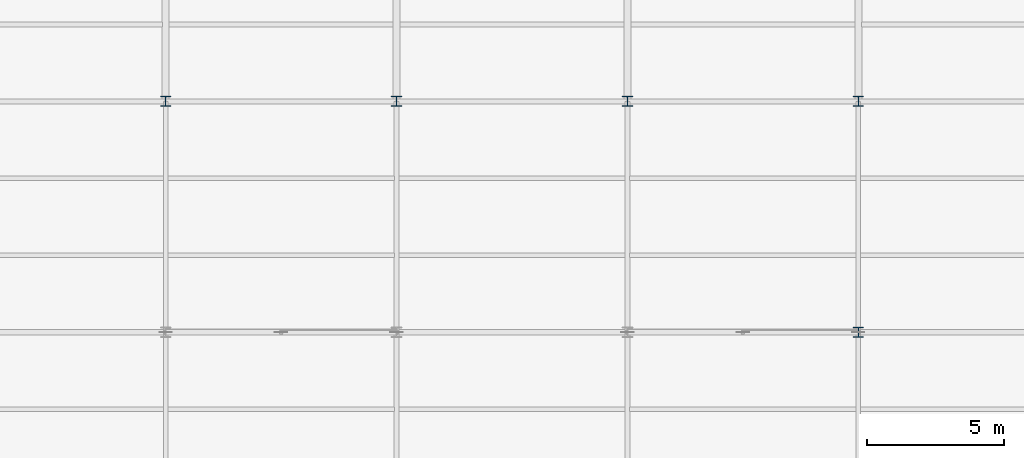
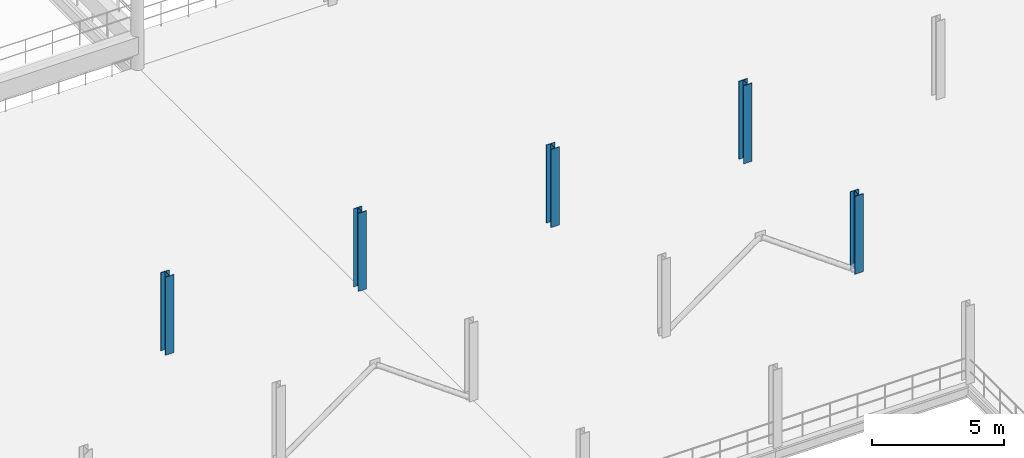
# One storey, part 9 of 74: 5 columns.
"""IFC4 building model written with IfcOpenShell, lengths in metres."""

from ifc_helpers import new_model, si_unit, direction, frame, origin, origin_2d, place, context, subcontext, project, spatial, i_section, extrude, material, material_profile, profile_set, type_object, element, save


model = new_model("IFC4")

# Units and contexts
model_context = context("Model", 3, precision=1e-05, world=origin(), true_north=direction((0.0, 1.0)))
body_context = subcontext(model_context, "Body", "Model", "MODEL_VIEW")
ifc_project = project(units=[si_unit("LENGTHUNIT", "METRE"), si_unit("AREAUNIT", "SQUARE_METRE"), si_unit("VOLUMEUNIT", "CUBIC_METRE"), si_unit("PLANEANGLEUNIT", "RADIAN"), si_unit("MASSUNIT", "GRAM", prefix="KILO"), si_unit("THERMODYNAMICTEMPERATUREUNIT", "KELVIN"), si_unit("POWERUNIT", "WATT")], contexts=[model_context])

# Site, building, storey
site_placement = place(None, origin())
site = spatial("IfcSite", under=ifc_project, at=site_placement, CompositionType="ELEMENT")
building_placement = place(site_placement, origin())
building = spatial("IfcBuilding", under=site, at=building_placement, Name="Tembeka Court Mobility Hub", CompositionType="ELEMENT")
storey_placement = place(building_placement, frame((0.0, 0.0, 12.60009765625)))
storey = spatial("IfcBuildingStorey", under=building, at=storey_placement, Name="L03", CompositionType="ELEMENT", Elevation=12.60009765625)

# Columns
ifc_material = material(Name="Steel S355", Category="steel")
ifc_material_profile = material_profile(ifc_material, i_section(OverallWidth=0.373046875, OverallDepth=0.367919921875, WebThickness=0.014404296875, FlangeThickness=0.023681640625, FilletRadius=0.01513671875, at=origin_2d()), Name="UKC 356x368x177")
ifc_profile_set = profile_set([ifc_material_profile], Name="Steel S355")
column_type = type_object("IfcColumnType", Name="COL-C03", PredefinedType="COLUMN", material=ifc_profile_set)
for number, where, z_axis, x_axis, name in (
    (1, (33.60009765625, 80.39990234375, 0.0), (0.0, 0.0, 1.0), (1.0, 0.0, 0.0), "Column C03 (L03-055)"),
    (2, (42.0, 80.39990234375, 0.0), (0.0, 0.0, 1.0), (1.0, 0.0, 0.0), "Column C03 (L03-067)"),
    (3, (50.39990234375, 80.39990234375, 0.0), (0.0, 0.0, 1.0), (1.0, 0.0, 0.0), "Column C03 (L03-079)"),
    (4, (58.800048828125, 72.0, 0.0), (0.0, 0.0, 1.0), (1.0, 0.0, 0.0), "Column C03 (L03-089)"),
    (5, (58.800048828125, 80.39990234375, 0.0), (0.0, 0.0, 1.0), (1.0, 0.0, 0.0), "Column C03 (L03-090)"),
):
    element("IfcColumn", number, at=place(storey_placement, frame(where, z_axis=z_axis, x_axis=x_axis)), inside=storey, type_object=column_type, Name=name, PredefinedType="COLUMN", context=body_context, shape_type="SweptSolid", body=[
        extrude(i_section(OverallWidth=0.373046875, OverallDepth=0.367919921875, WebThickness=0.014404296875, FlangeThickness=0.023681640625, FilletRadius=0.01513671875, at=origin_2d()), origin(), (0.0, 0.0, 1.0), 3.599853515625),
    ])

save(model, "model.ifc")
